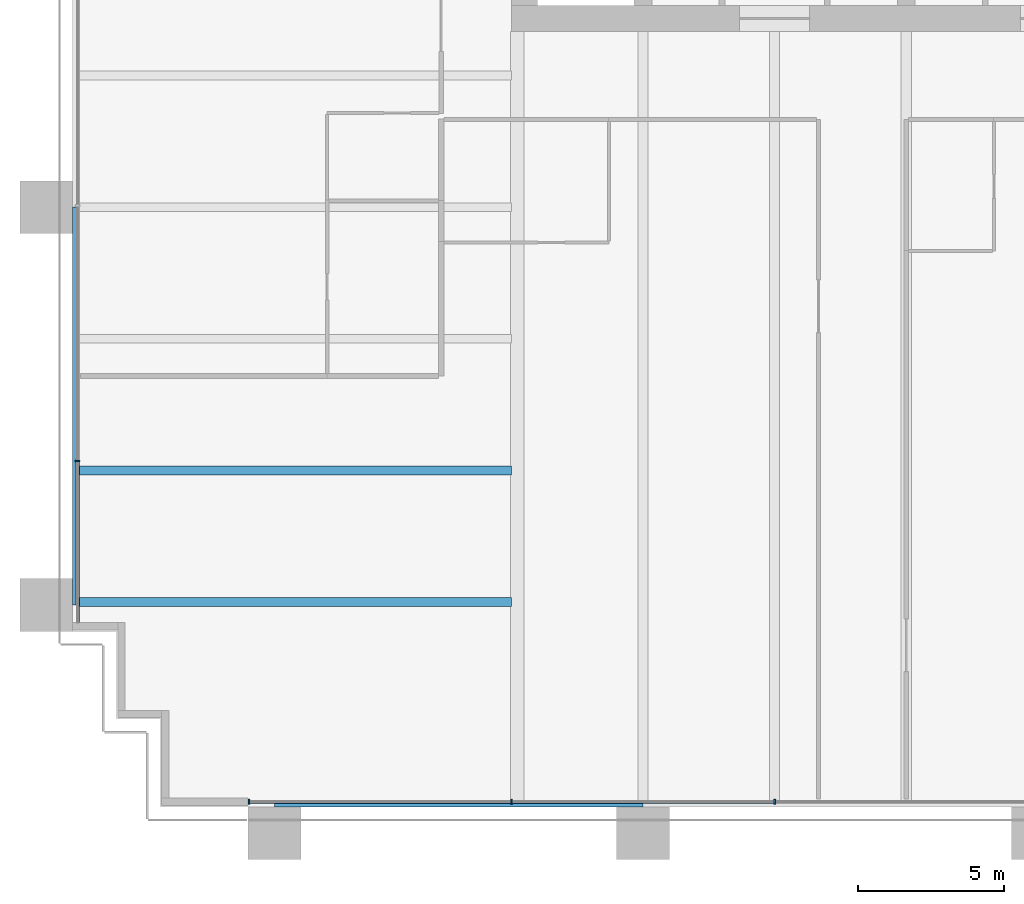
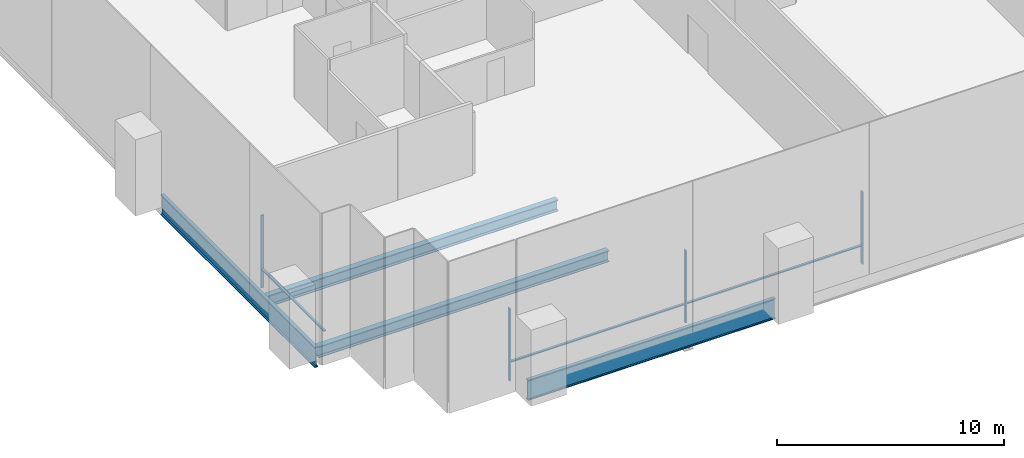
# One storey, part 2 of 17: 7 members, 4 beams, 2 elements without a shape of their own.
"""IFC4 building model written with IfcOpenShell, lengths in metres."""

from ifc_helpers import new_model, si_unit, direction, frame, origin, origin_2d, place, context, subcontext, project, spatial, rectangle, i_section, extrude, material, material_profile, profile_set, type_object, element, aggregate, save


model = new_model("IFC4")

# Units and contexts
model_context = context("Model", 3, precision=1e-05, world=origin(), true_north=direction((0.0, 1.0)))
body_context = subcontext(model_context, "Body", "Model", "MODEL_VIEW")
ifc_project = project(units=[si_unit("LENGTHUNIT", "METRE"), si_unit("AREAUNIT", "SQUARE_METRE"), si_unit("VOLUMEUNIT", "CUBIC_METRE"), si_unit("PLANEANGLEUNIT", "RADIAN"), si_unit("MASSUNIT", "GRAM", prefix="KILO")], contexts=[model_context])

# Site, building, storey
site_placement = place(None, origin())
site = spatial("IfcSite", under=ifc_project, at=site_placement, CompositionType="ELEMENT")
building_placement = place(site_placement, origin())
building = spatial("IfcBuilding", under=site, at=building_placement, Name="Rattan Terrace Tower", CompositionType="ELEMENT")
storey_placement = place(building_placement, frame((0.0, 0.0, 44.699951171875)))
storey = spatial("IfcBuildingStorey", under=building, at=storey_placement, Name="L09", CompositionType="ELEMENT", Elevation=44.699951171875)

# Curtain wall, member
ifc_material_1 = material(Name="Aluminium and glass", Category="aluminium")
curtain_wall_type = type_object("IfcCurtainWallType", Name="Facade Unitised Curtain Wall", PredefinedType="NOTDEFINED", material=ifc_material_1)
curtain_wall_1_placement = place(storey_placement, origin())
curtain_wall_1 = element("IfcCurtainWall", 1, at=curtain_wall_1_placement, inside=storey, type_object=curtain_wall_type, Name="Curtain wall L09-3", PredefinedType="NOTDEFINED")
ifc_material_2 = material(Name="Aluminium", Category="aluminium")
ifc_material_profile_1 = material_profile(ifc_material_2, rectangle(XDim=0.06005859375, YDim=0.159912109375, at=origin_2d()), Name="Aluminium 60x160")
ifc_profile_set_1 = profile_set([ifc_material_profile_1], Name="Aluminium")
member_type_1 = type_object("IfcMemberType", Name="Facade CW Mullion 60x160", PredefinedType="MULLION", material=ifc_profile_set_1)
member_1_placement = place(storey_placement, frame((-32.830078125, -22.180908203125, 0.0), z_axis=(0.0, 0.0, 1.0), x_axis=(0.0, -1.0, 0.0)))
member_1 = element("IfcMember", 2, at=member_1_placement, type_object=member_type_1, Name="Mullion cwl-L09-003.4", PredefinedType="MULLION", context=body_context, shape_type="SweptSolid", body=[
    extrude(rectangle(XDim=0.06005859375, YDim=0.159912109375, at=origin_2d()), origin(), (0.0, 0.0, 1.0), 3.900146484375),
])

# Curtain wall, members
curtain_wall_2_placement = place(storey_placement, origin())
curtain_wall_2 = element("IfcCurtainWall", 3, at=curtain_wall_2_placement, inside=storey, type_object=curtain_wall_type, Name="Curtain wall L09-4", PredefinedType="NOTDEFINED")
member_2_placement = place(storey_placement, frame((-26.969970703125, -33.830078125, 0.0), z_axis=(0.0, 0.0, 1.0), x_axis=(1.0, 0.0, 0.0)))
member_2 = element("IfcMember", 4, at=member_2_placement, type_object=member_type_1, Name="Mullion cwl-L09-004.1", PredefinedType="MULLION", context=body_context, shape_type="SweptSolid", body=[
    extrude(rectangle(XDim=0.06005859375, YDim=0.159912109375, at=origin_2d()), origin(), (0.0, 0.0, 1.0), 3.900146484375),
])
member_3_placement = place(storey_placement, frame((-18.0, -33.830078125, 0.0), z_axis=(0.0, 0.0, 1.0), x_axis=(1.0, 0.0, 0.0)))
member_3 = element("IfcMember", 5, at=member_3_placement, type_object=member_type_1, Name="Mullion cwl-L09-004.2", PredefinedType="MULLION", context=body_context, shape_type="SweptSolid", body=[
    extrude(rectangle(XDim=0.06005859375, YDim=0.159912109375, at=origin_2d()), origin(), (0.0, 0.0, 1.0), 3.900146484375),
])
member_4_placement = place(storey_placement, frame((-9.0, -33.830078125, 0.0), z_axis=(0.0, 0.0, 1.0), x_axis=(1.0, 0.0, 0.0)))
member_4 = element("IfcMember", 6, at=member_4_placement, type_object=member_type_1, Name="Mullion cwl-L09-004.3", PredefinedType="MULLION", context=body_context, shape_type="SweptSolid", body=[
    extrude(rectangle(XDim=0.06005859375, YDim=0.159912109375, at=origin_2d()), origin(), (0.0, 0.0, 1.0), 3.900146484375),
])

# Member
ifc_material_3 = material(Name="Aluminium", Category="aluminium")
ifc_material_profile_2 = material_profile(ifc_material_3, rectangle(XDim=0.1201171875, YDim=0.06005859375, at=origin_2d()), Name="Aluminium 120x60")
ifc_profile_set_2 = profile_set([ifc_material_profile_2], Name="Aluminium")
member_type_2 = type_object("IfcMemberType", Name="Facade CW Transom 120x60", PredefinedType="USERDEFINED", material=ifc_profile_set_2)
member_5_placement = place(storey_placement, frame((-32.830078125, -22.2109375, 1.0), z_axis=(0.0, -1.0, 0.0), x_axis=(1.0, 0.0, 0.0)))
member_5 = element("IfcMember", 7, at=member_5_placement, type_object=member_type_2, Name="Transom cwl-L09-003.4", ObjectType="TRANSOM", PredefinedType="USERDEFINED", context=body_context, shape_type="SweptSolid", body=[
    extrude(rectangle(XDim=0.1201171875, YDim=0.06005859375, at=origin_2d()), origin(), (0.0, 0.0, 1.0), 5.494140625),
])

aggregate(curtain_wall_1, [member_1, member_5])

member_6_placement = place(storey_placement, frame((-26.93994140625, -33.830078125, 1.0), z_axis=(1.0, 0.0, 0.0), x_axis=(0.0, 1.0, 0.0)))
member_6 = element("IfcMember", 8, at=member_6_placement, type_object=member_type_2, Name="Transom cwl-L09-004.1", ObjectType="TRANSOM", PredefinedType="USERDEFINED", context=body_context, shape_type="SweptSolid", body=[
    extrude(rectangle(XDim=0.1201171875, YDim=0.06005859375, at=origin_2d()), origin(), (0.0, 0.0, 1.0), 8.909912109375),
])

member_7_placement = place(storey_placement, frame((-17.969970703125, -33.830078125, 1.0), z_axis=(1.0, 0.0, 0.0), x_axis=(0.0, 1.0, 0.0)))
member_7 = element("IfcMember", 9, at=member_7_placement, type_object=member_type_2, Name="Transom cwl-L09-004.2", ObjectType="TRANSOM", PredefinedType="USERDEFINED", context=body_context, shape_type="SweptSolid", body=[
    extrude(rectangle(XDim=0.1201171875, YDim=0.06005859375, at=origin_2d()), origin(), (0.0, 0.0, 1.0), 8.93994140625),
])

aggregate(curtain_wall_2, [member_2, member_3, member_4, member_6, member_7])

# Beams
ifc_material_4 = material(Name="Steel S460", Category="steel")
ifc_material_profile_3 = material_profile(ifc_material_4, i_section(OverallWidth=0.179931640625, OverallDepth=1.10009765625, WebThickness=0.01611328125, FlangeThickness=0.050048828125, at=origin_2d()), Name="PG 1100x180-16-50")
ifc_profile_set_3 = profile_set([ifc_material_profile_3], Name="Steel S460")
beam_type_1 = type_object("IfcBeamType", Name="Frame edge girder PG 1100x180-16-50", PredefinedType="SPANDREL", material=ifc_profile_set_3)
beam_1_placement = place(storey_placement, frame((-26.10009765625, -33.909912109375, -0.75), z_axis=(1.0, 0.0, 0.0), x_axis=(0.0, 1.0, 0.0)))
element("IfcBeam", 10, at=beam_1_placement, inside=storey, type_object=beam_type_1, Name="gdr-L09-001", PredefinedType="SPANDREL", context=body_context, shape_type="SweptSolid", body=[
    extrude(i_section(OverallWidth=0.179931640625, OverallDepth=1.10009765625, WebThickness=0.01611328125, FlangeThickness=0.050048828125, at=origin_2d()), origin(), (0.0, 0.0, 1.0), 12.60009765625),
])
beam_2_placement = place(storey_placement, frame((-32.909912109375, -13.5, -0.75), z_axis=(0.0, -1.0, 0.0), x_axis=(1.0, 0.0, 0.0)))
element("IfcBeam", 11, at=beam_2_placement, inside=storey, type_object=beam_type_1, Name="gdr-L09-006", PredefinedType="SPANDREL", context=body_context, shape_type="SweptSolid", body=[
    extrude(i_section(OverallWidth=0.179931640625, OverallDepth=1.10009765625, WebThickness=0.01611328125, FlangeThickness=0.050048828125, at=origin_2d()), origin(), (0.0, 0.0, 1.0), 13.60009765625),
])
ifc_material_5 = material(Name="Steel S355", Category="steel")
ifc_material_profile_4 = material_profile(ifc_material_5, i_section(OverallWidth=0.300048828125, OverallDepth=0.60009765625, WebThickness=0.015380859375, FlangeThickness=0.030029296875, FilletRadius=0.027099609375, at=origin_2d()), Name="HE 600 B")
ifc_profile_set_4 = profile_set([ifc_material_profile_4], Name="Steel S355")
beam_type_2 = type_object("IfcBeamType", Name="Frame floor beam HE 600 B", PredefinedType="JOIST", material=ifc_profile_set_4)
for number, where, z_axis, x_axis, name in (
    (12, (-32.820068359375, -27.0, -0.5), (1.0, 0.0, 0.0), (0.0, 1.0, 0.0), "bm-L09-010"),
    (13, (-32.820068359375, -22.5, -0.5), (1.0, 0.0, 0.0), (0.0, 1.0, 0.0), "bm-L09-012"),
):
    element("IfcBeam", number, at=place(storey_placement, frame(where, z_axis=z_axis, x_axis=x_axis)), inside=storey, type_object=beam_type_2, Name=name, PredefinedType="JOIST", context=body_context, shape_type="SweptSolid", body=[
        extrude(i_section(OverallWidth=0.300048828125, OverallDepth=0.60009765625, WebThickness=0.015380859375, FlangeThickness=0.030029296875, FilletRadius=0.027099609375, at=origin_2d()), origin(), (0.0, 0.0, 1.0), 14.820068359375),
    ])

save(model, "model.ifc")
